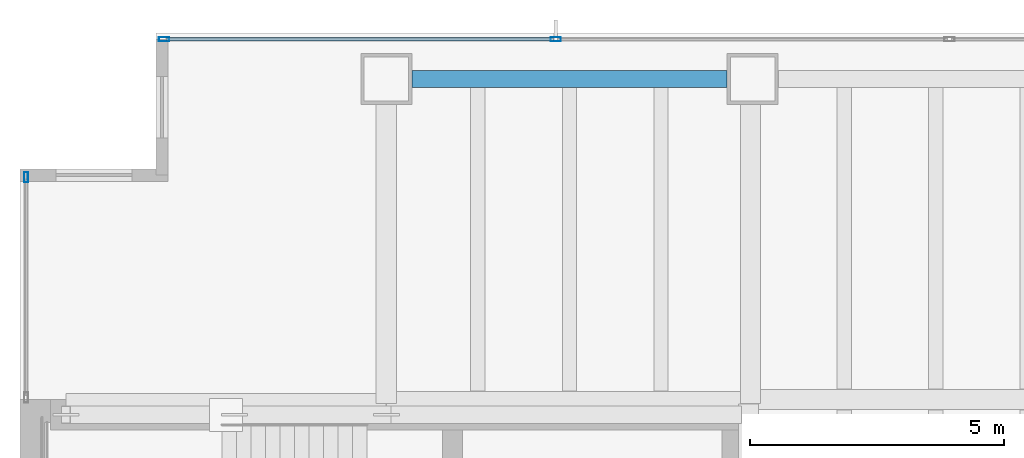
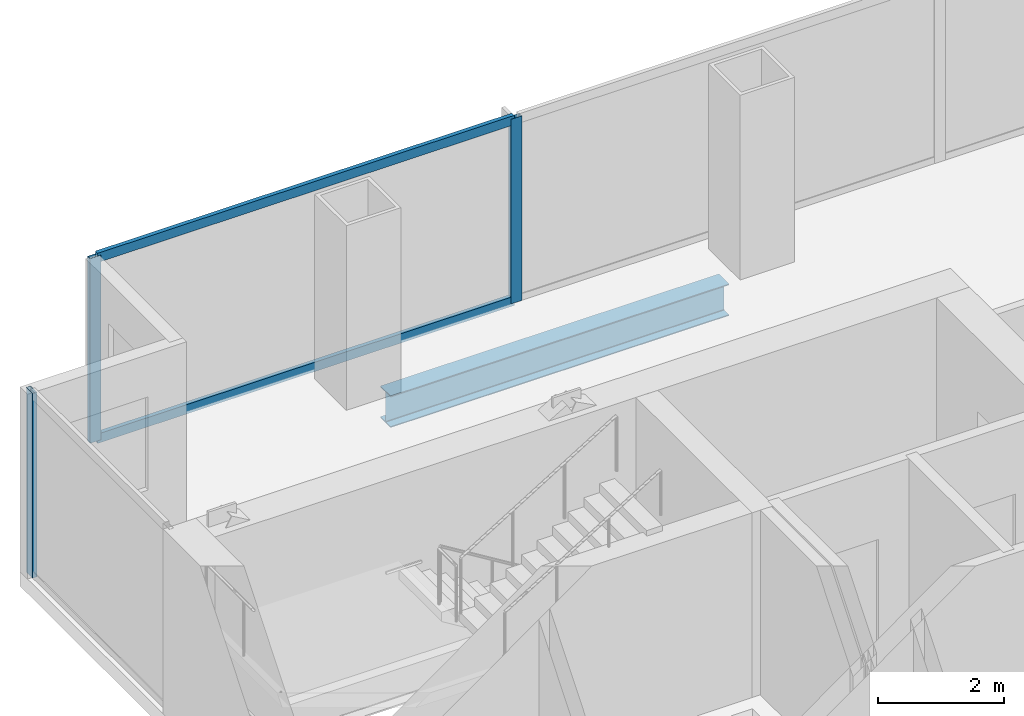
# One storey, part 16 of 25: 5 members, 1 beam, 2 elements without a shape of their own.
"""IFC4 building model written with IfcOpenShell, lengths in metres."""

import ifcopenshell
import ifcopenshell.guid

model = None  # the IFC model being written
_history = None  # IfcOwnerHistory: only IFC2X3 demands one
_inside = {}  # id of a spatial element -> (the spatial element, [elements in it])
_under = {}  # id of a project, library or spatial element -> (it, [spatial elements below it])
_declared = {}  # id of a project -> (the project, [libraries it declares])
_typed = {}  # id of a type object -> (the type object, [elements of that type])
_made_of = {}  # id of a material, layer set ... -> (it, [elements and type objects made of it])


def new_model(schema):
    """Start an empty IFC model of exactly this schema.

    Asked for "IFC4X3", IfcOpenShell would pick the latest addendum, in which some entities
    have other attributes; the version numbers below select the first issue.
    IFC2X3 requires an IfcOwnerHistory on every rooted entity: one is made here for all.
    """
    global model, _history
    if schema == "IFC4X3":
        model = ifcopenshell.file(schema_version=(4, 3, 0, 0))
    else:
        model = ifcopenshell.file(schema=schema)
    _inside.clear()
    _under.clear()
    _declared.clear()
    _typed.clear()
    _made_of.clear()
    _history = None
    if model.schema == "IFC2X3":
        org = make("IfcOrganization", Name="unknown")
        user = make(
            "IfcPersonAndOrganization",
            ThePerson=make("IfcPerson", FamilyName="unknown"),
            TheOrganization=org,
        )
        app = make(
            "IfcApplication",
            ApplicationDeveloper=org,
            Version="unknown",
            ApplicationFullName="unknown",
            ApplicationIdentifier="unknown",
        )
        _history = make(
            "IfcOwnerHistory",
            OwningUser=user,
            OwningApplication=app,
            ChangeAction="ADDED",
            CreationDate=0,
        )
    return model


def make(cls, **values):
    """One entity of the class cls with the attributes given. An attribute that is None is left unset."""
    return model.create_entity(
        cls, **{name: value for name, value in values.items() if value is not None}
    )


def rooted(cls, **values):
    """An entity with a GlobalId (a new one), such as an element, a storey or a relation."""
    return make(cls, GlobalId=ifcopenshell.guid.new(), OwnerHistory=_history, **values)


def si_unit(unit_type, name, prefix=None):
    """IfcSIUnit, for example si_unit("LENGTHUNIT", "METRE", prefix="MILLI")."""
    return make("IfcSIUnit", UnitType=unit_type, Prefix=prefix, Name=name)


def assignment(units):
    """IfcUnitAssignment: the units of a project."""
    return None if units is None else make("IfcUnitAssignment", Units=units)


def point(xyz):
    """IfcCartesianPoint."""
    return None if xyz is None else make("IfcCartesianPoint", Coordinates=xyz)


def direction(xyz):
    """IfcDirection."""
    return None if xyz is None else make("IfcDirection", DirectionRatios=xyz)


def frame(location, z_axis=None, x_axis=None):
    """IfcAxis2Placement3D, a coordinate frame: its origin and axes. An axis left out is left unset."""
    return make(
        "IfcAxis2Placement3D",
        Location=point(location),
        Axis=direction(z_axis),
        RefDirection=direction(x_axis),
    )


def frame_2d(location, x_axis=None):
    """IfcAxis2Placement2D, a coordinate frame in the plane: its origin and x axis."""
    return make(
        "IfcAxis2Placement2D", Location=point(location), RefDirection=direction(x_axis)
    )


def origin():
    """The frame at (0, 0, 0) with its axes left unset."""
    return frame((0.0, 0.0, 0.0))


def origin_2d():
    """The frame at (0, 0) in the plane with its x axis left unset."""
    return frame_2d((0.0, 0.0))


def place(relative_to, where):
    """IfcLocalPlacement: puts the frame where relative to a parent placement (None: the world)."""
    return make(
        "IfcLocalPlacement", PlacementRelTo=relative_to, RelativePlacement=where
    )


def context(
    kind, dimensions, precision=None, world=None, true_north=None, identifier=None
):
    """IfcGeometricRepresentationContext, for example the 3D "Model" context."""
    return make(
        "IfcGeometricRepresentationContext",
        ContextIdentifier=identifier,
        ContextType=kind,
        CoordinateSpaceDimension=dimensions,
        Precision=precision,
        WorldCoordinateSystem=world,
        TrueNorth=true_north,
    )


def subcontext(parent, identifier, kind, view, scale=None):
    """IfcGeometricRepresentationSubContext, for example "Body" below "Model"."""
    return make(
        "IfcGeometricRepresentationSubContext",
        ContextIdentifier=identifier,
        ContextType=kind,
        ParentContext=parent,
        TargetScale=scale,
        TargetView=view,
    )


def project(units=None, contexts=None):
    """IfcProject with its units and contexts."""
    return rooted(
        "IfcProject",
        Name="project",
        RepresentationContexts=contexts,
        UnitsInContext=assignment(units),
    )


def spatial(cls, under=None, at=None, **own):
    """A site, building, storey or space (cls), placed at a placement, below another one or the project."""
    s = rooted(cls, ObjectPlacement=at, **own)
    if under is not None:
        _under.setdefault(under.id(), (under, []))[1].append(s)
    return s


def profile(cls, at=None, kind="AREA", **sizes):
    """A parametric profile (cls). Its sizes go by their IFC names, for example OverallWidth=200.0."""
    return make(cls, ProfileType=kind, Position=at, **sizes)


def hollow_rectangle(**sizes):
    """IfcRectangleHollowProfileDef."""
    return profile("IfcRectangleHollowProfileDef", **sizes)


def i_section(**sizes):
    """IfcIShapeProfileDef."""
    return profile("IfcIShapeProfileDef", **sizes)


def extrude(swept, where, along, depth):
    """IfcExtrudedAreaSolid: the profile swept, set in the frame where, extruded along a direction by depth."""
    return make(
        "IfcExtrudedAreaSolid",
        SweptArea=swept,
        Position=where,
        ExtrudedDirection=direction(along),
        Depth=depth,
    )


def shape(context_of_items, identifier, shape_type, items):
    """IfcShapeRepresentation: the items that make up one representation, for example the "Body"."""
    return make(
        "IfcShapeRepresentation",
        ContextOfItems=context_of_items,
        RepresentationIdentifier=identifier,
        RepresentationType=shape_type,
        Items=items,
    )


def material(Name=None, Category=None):
    """IfcMaterial."""
    return make("IfcMaterial", Name=Name, Category=Category)


def material_profile(
    of_material, cross_section, Name=None, Category=None, Priority=None
):
    """IfcMaterialProfile: a cross section and its material."""
    return make(
        "IfcMaterialProfile",
        Name=Name,
        Material=of_material,
        Profile=cross_section,
        Priority=Priority,
        Category=Category,
    )


def profile_set(profiles, Name=None, composite=None):
    """IfcMaterialProfileSet."""
    return make(
        "IfcMaterialProfileSet",
        Name=Name,
        MaterialProfiles=profiles,
        CompositeProfile=composite,
    )


def made_of(thing, what):
    """Note that an element or type object is made of a material, layer set ...; save() writes the relation."""
    if what is not None:
        _made_of.setdefault(what.id(), (what, []))[1].append(thing)
    return thing


def type_object(cls, material=None, **own):
    """A type object (cls), such as IfcWallType, which elements share."""
    return made_of(rooted(cls, **own), material)


def element(
    cls,
    number,
    at=None,
    inside=None,
    cuts=None,
    type_object=None,
    material=None,
    context=None,
    identifier="Body",
    shape_type=None,
    held_by="IfcProductDefinitionShape",
    body=None,
    shapes=None,
    **own,
):
    """One element of the class cls, such as IfcWall. Its Tag is "e" and its number.

    at: its placement. inside: the storey or other place that contains it. cuts: it is an
    opening in that element (IfcRelVoidsElement). A single representation is given by context,
    identifier, shape_type and body (its items); several are given by shapes. held_by: the class
    of the entity that holds the representations. save() writes the other relations.
    """
    e = rooted(cls, Tag="e%d" % number, ObjectPlacement=at, **own)
    if body is not None:
        shapes = [shape(context, identifier, shape_type, body)]
    if shapes is not None:
        e.Representation = make(held_by, Representations=shapes)
    if inside is not None:
        _inside.setdefault(inside.id(), (inside, []))[1].append(e)
    if cuts is not None:
        rooted(
            "IfcRelVoidsElement", RelatingBuildingElement=cuts, RelatedOpeningElement=e
        )
    if type_object is not None:
        _typed.setdefault(type_object.id(), (type_object, []))[1].append(e)
    return made_of(e, material)


def aggregate(whole, parts):
    """IfcRelAggregates: a whole, such as a stair, and the parts it consists of."""
    return rooted("IfcRelAggregates", RelatingObject=whole, RelatedObjects=parts)


def save(model, path):
    """Write the relations noted so far, then the file.

    IfcRelAggregates (storeys below a building ...), IfcRelContainedInSpatialStructure (elements
    in a storey), IfcRelDefinesByType, IfcRelAssociatesMaterial and IfcRelDeclares: one each for
    every whole, place, type object, material and project.
    """
    for whole, parts in _under.values():
        aggregate(whole, parts)
    for where, things in _inside.values():
        rooted(
            "IfcRelContainedInSpatialStructure",
            RelatedElements=things,
            RelatingStructure=where,
        )
    for kind, things in _typed.values():
        rooted("IfcRelDefinesByType", RelatedObjects=things, RelatingType=kind)
    for what, things in _made_of.values():
        rooted("IfcRelAssociatesMaterial", RelatedObjects=things, RelatingMaterial=what)
    for by, libraries in _declared.values():
        rooted("IfcRelDeclares", RelatingContext=by, RelatedDefinitions=libraries)
    model.write(path)


model = new_model("IFC4")

# Units and contexts
model_context = context("Model", 3, precision=1e-05, world=origin(), true_north=direction((0.0, 1.0)))
body_context = subcontext(model_context, "Body", "Model", "MODEL_VIEW")
ifc_project = project(units=[si_unit("LENGTHUNIT", "METRE"), si_unit("AREAUNIT", "SQUARE_METRE"), si_unit("VOLUMEUNIT", "CUBIC_METRE"), si_unit("PLANEANGLEUNIT", "RADIAN"), si_unit("MASSUNIT", "GRAM", prefix="KILO")], contexts=[model_context])

# Site, building, storey
site_placement = place(None, origin())
site = spatial("IfcSite", under=ifc_project, at=site_placement, CompositionType="ELEMENT")
building_placement = place(site_placement, origin())
building = spatial("IfcBuilding", under=site, at=building_placement, Name="Cobrela Telecom Tower", CompositionType="ELEMENT")
storey_placement = place(building_placement, frame((0.0, 0.0, 58.10009765625)))
storey = spatial("IfcBuildingStorey", under=building, at=storey_placement, Name="L14", CompositionType="ELEMENT", Elevation=58.10009765625)

# Beam
ifc_material_1 = material(Name="Steel ASTM A992 Grade 50", Category="steel")
ifc_material_profile_1 = material_profile(ifc_material_1, i_section(OverallWidth=0.324951171875, OverallDepth=0.612060546875, WebThickness=0.0126953125, FlangeThickness=0.01904296875, FilletRadius=0.014892578125, at=origin_2d()), Name="W24X104")
ifc_profile_set_1 = profile_set([ifc_material_profile_1], Name="Steel ASTM A992 Grade 50")
beam_type = type_object("IfcBeamType", Name="BM-SPAND-02", PredefinedType="SPANDREL", material=ifc_profile_set_1)
beam_placement = place(storey_placement, frame((7.705078125, 42.300048828125, -0.586181640625), z_axis=(1.0, 0.0, 0.0), x_axis=(0.0, 1.0, 0.0)))
element("IfcBeam", 1, at=beam_placement, inside=storey, type_object=beam_type, Name="L14 Perimeter Spandrel X29", PredefinedType="SPANDREL", context=body_context, shape_type="SweptSolid", body=[
    extrude(i_section(OverallWidth=0.324951171875, OverallDepth=0.612060546875, WebThickness=0.0126953125, FlangeThickness=0.01904296875, FilletRadius=0.014892578125, at=origin_2d()), origin(), (0.0, 0.0, 1.0), 6.18994140625),
])

# Curtain wall, member
ifc_material_2 = material(Name="Anodized Bronze Aluminium 6063-T6", Category="aluminium")
curtain_wall_type = type_object("IfcCurtainWallType", Name="CW-SYS-DATA", PredefinedType="USERDEFINED", material=ifc_material_2)
curtain_wall_1_placement = place(storey_placement, origin())
curtain_wall_1 = element("IfcCurtainWall", 2, at=curtain_wall_1_placement, inside=storey, type_object=curtain_wall_type, Name="L14 Unitised Bronze Curtain Wall 04", ObjectType="UNITISED CURTAIN WALL", PredefinedType="USERDEFINED")
ifc_material_profile_2 = material_profile(ifc_material_2, hollow_rectangle(XDim=0.080078125, YDim=0.199951171875, WallThickness=0.00390625, at=origin_2d()), Name="ALU 80x200x4")
ifc_profile_set_2 = profile_set([ifc_material_profile_2], Name="Anodized Bronze Aluminium 6063-T6")
member_type_1 = type_object("IfcMemberType", Name="CW-SYS-DATA-MUL", PredefinedType="MULLION", material=ifc_profile_set_2)
member_1_placement = place(storey_placement, frame((0.1201171875, 40.3701171875, 0.0), z_axis=(0.0, 0.0, 1.0), x_axis=(-1.0, 0.0, 0.0)))
member_1 = element("IfcMember", 3, at=member_1_placement, type_object=member_type_1, Name="CW-DATA mullion 2", PredefinedType="MULLION", context=body_context, shape_type="SweptSolid", body=[
    extrude(hollow_rectangle(XDim=0.080078125, YDim=0.199951171875, WallThickness=0.00390625, at=origin_2d()), origin(), (0.0, 0.0, 1.0), 3.56982421875),
])
aggregate(curtain_wall_1, [member_1])

# Curtain wall, members
curtain_wall_2_placement = place(storey_placement, origin())
curtain_wall_2 = element("IfcCurtainWall", 4, at=curtain_wall_2_placement, inside=storey, type_object=curtain_wall_type, Name="L14 Unitised Bronze Curtain Wall 07", ObjectType="UNITISED CURTAIN WALL", PredefinedType="USERDEFINED")
member_2_placement = place(storey_placement, frame((2.830078125, 43.080078125, 0.0), z_axis=(0.0, 0.0, 1.0), x_axis=(0.0, 1.0, 0.0)))
member_2 = element("IfcMember", 5, at=member_2_placement, type_object=member_type_1, Name="CW-DATA mullion 1", PredefinedType="MULLION", context=body_context, shape_type="SweptSolid", body=[
    extrude(hollow_rectangle(XDim=0.080078125, YDim=0.199951171875, WallThickness=0.00390625, at=origin_2d()), origin(), (0.0, 0.0, 1.0), 3.56982421875),
])
member_3_placement = place(storey_placement, frame((10.530029296875, 43.080078125, 0.0), z_axis=(0.0, 0.0, 1.0), x_axis=(0.0, 1.0, 0.0)))
member_3 = element("IfcMember", 6, at=member_3_placement, type_object=member_type_1, Name="CW-DATA mullion 2", PredefinedType="MULLION", context=body_context, shape_type="SweptSolid", body=[
    extrude(hollow_rectangle(XDim=0.080078125, YDim=0.199951171875, WallThickness=0.00390625, at=origin_2d()), origin(), (0.0, 0.0, 1.0), 3.56982421875),
])
ifc_material_profile_3 = material_profile(ifc_material_2, hollow_rectangle(XDim=0.074951171875, YDim=0.179931640625, WallThickness=0.00390625, at=origin_2d()), Name="ALU 75x180x4")
ifc_profile_set_3 = profile_set([ifc_material_profile_3], Name="Anodized Bronze Aluminium 6063-T6")
member_type_2 = type_object("IfcMemberType", Name="CW-SYS-DATA-TRN", PredefinedType="USERDEFINED", material=ifc_profile_set_3)
member_4_placement = place(storey_placement, frame((2.8701171875, 43.080078125, 0.037353515625), z_axis=(1.0, 0.0, 0.0), x_axis=(0.0, 1.0, 0.0)))
member_4 = element("IfcMember", 7, at=member_4_placement, type_object=member_type_2, Name="CW-DATA transom 1.1", ObjectType="TRANSOM", PredefinedType="USERDEFINED", context=body_context, shape_type="SweptSolid", body=[
    extrude(hollow_rectangle(XDim=0.074951171875, YDim=0.179931640625, WallThickness=0.00390625, at=origin_2d()), origin(), (0.0, 0.0, 1.0), 7.619873046875),
])
member_5_placement = place(storey_placement, frame((2.8701171875, 43.080078125, 3.532470703125), z_axis=(1.0, 0.0, 0.0), x_axis=(0.0, 1.0, 0.0)))
member_5 = element("IfcMember", 8, at=member_5_placement, type_object=member_type_2, Name="CW-DATA transom 1.2", ObjectType="TRANSOM", PredefinedType="USERDEFINED", context=body_context, shape_type="SweptSolid", body=[
    extrude(hollow_rectangle(XDim=0.074951171875, YDim=0.179931640625, WallThickness=0.00390625, at=origin_2d()), origin(), (0.0, 0.0, 1.0), 7.619873046875),
])
aggregate(curtain_wall_2, [member_2, member_3, member_4, member_5])

save(model, "model.ifc")
